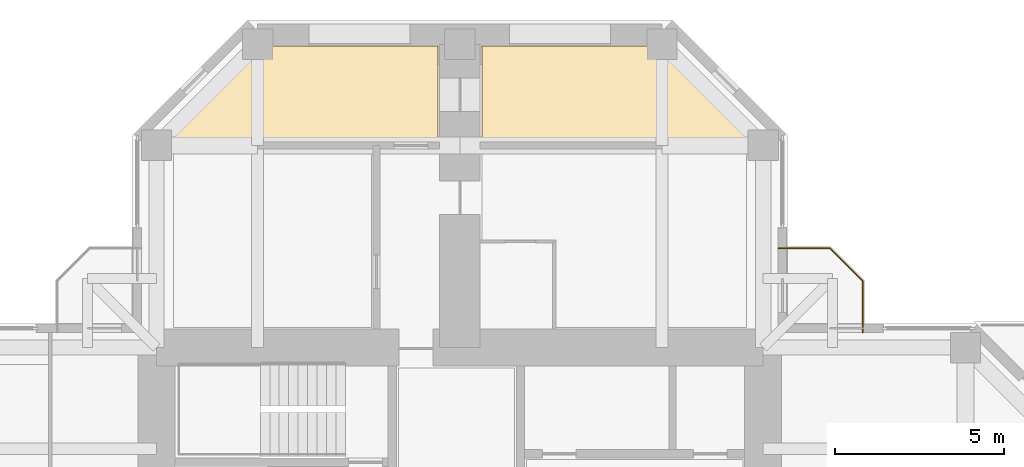
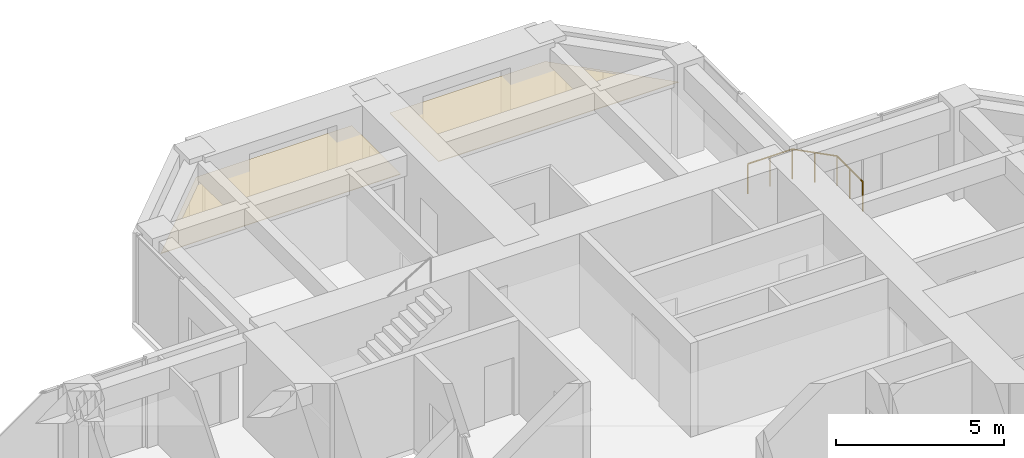
# One storey, part 14 of 14: 2 coverings, 1 railing.
"""IFC4 building model written with IfcOpenShell, lengths in metres."""

from ifc_helpers import new_model, si_unit, direction, frame, origin, origin_2d, place, context, subcontext, project, spatial, polyline, circle, outline, extrude, material, layer, layer_set, constituent, constituent_set, type_object, element, save


model = new_model("IFC4")

# Units and contexts
model_context = context("Model", 3, precision=1e-05, world=origin(), true_north=direction((0.0, 1.0)))
body_context = subcontext(model_context, "Body", "Model", "MODEL_VIEW")
ifc_project = project(units=[si_unit("LENGTHUNIT", "METRE"), si_unit("AREAUNIT", "SQUARE_METRE"), si_unit("VOLUMEUNIT", "CUBIC_METRE"), si_unit("PLANEANGLEUNIT", "RADIAN"), si_unit("MASSUNIT", "GRAM", prefix="KILO")], contexts=[model_context])

# Site, building, storey
site_placement = place(None, origin())
site = spatial("IfcSite", under=ifc_project, at=site_placement, CompositionType="ELEMENT")
building_placement = place(site_placement, origin())
building = spatial("IfcBuilding", under=site, at=building_placement, Name="Torre Cruceta", CompositionType="ELEMENT")
storey_placement = place(building_placement, frame((0.0, 0.0, 169.5)))
storey = spatial("IfcBuildingStorey", under=building, at=storey_placement, Name="L41", CompositionType="ELEMENT", Elevation=169.5)

# Railing
ifc_material_1 = material(Name="Stainless steel 1.4401", Category="steel")
ifc_constituent_1 = constituent(ifc_material_1, Name="Frame")
ifc_material_2 = material(Name="Laminated safety glass", Category="glass")
ifc_constituent_2 = constituent(ifc_material_2, Name="Infill")
ifc_constituent_set = constituent_set(constituents=[ifc_constituent_1, ifc_constituent_2], Name="Stainless steel and laminated glass balustrade")
railing_type = type_object("IfcRailingType", Name="BALCONY BALUSTRADE 1100", PredefinedType="BALUSTRADE", material=ifc_constituent_set)
railing_placement = place(storey_placement, frame((9.449951171875, 11.949951171875, 0.0)))
element("IfcRailing", 1, at=railing_placement, inside=storey, type_object=railing_type, Name="BL1 balcony balustrade L41 E", PredefinedType="BALUSTRADE", context=body_context, shape_type="SweptSolid", body=[
    extrude(circle(Radius=0.02392578125, at=origin_2d()), frame((0.0, 0.0, 1.076171875), z_axis=(1.0, 0.0, 0.0), x_axis=(0.0, 1.0, 0.0)), (0.0, 0.0, 1.0), 1.529296875),
    extrude(circle(Radius=0.02392578125, at=origin_2d()), frame((1.529296875, 0.0, 1.076171875), z_axis=(0.707106781187, -0.707106781187, 0.0), x_axis=(0.707106781187, 0.707106781187, 0.0)), (0.0, 0.0, 1.0), 1.372802734375),
    extrude(circle(Radius=0.02392578125, at=origin_2d()), frame((2.5, -0.970703125, 1.076171875), z_axis=(0.0, -1.0, 0.0), x_axis=(1.0, 0.0, 0.0)), (0.0, 0.0, 1.0), 1.529296875),
    extrude(circle(Radius=0.02099609375, at=origin_2d()), origin(), (0.0, 0.0, 1.0), 1.052001953125),
    extrude(circle(Radius=0.02099609375, at=origin_2d()), frame((0.7646484375, 0.0, 0.0)), (0.0, 0.0, 1.0), 1.052001953125),
    extrude(circle(Radius=0.02099609375, at=origin_2d()), frame((1.529296875, 0.0, 0.0)), (0.0, 0.0, 1.0), 1.052001953125),
    extrude(circle(Radius=0.02099609375, at=origin_2d()), frame((2.0146484375, -0.4853515625, 0.0)), (0.0, 0.0, 1.0), 1.052001953125),
    extrude(circle(Radius=0.02099609375, at=origin_2d()), frame((2.5, -0.970703125, 0.0)), (0.0, 0.0, 1.0), 1.052001953125),
    extrude(circle(Radius=0.02099609375, at=origin_2d()), frame((2.5, -1.7353515625, 0.0)), (0.0, 0.0, 1.0), 1.052001953125),
    extrude(circle(Radius=0.02099609375, at=origin_2d()), frame((2.5, -2.5, 0.0)), (0.0, 0.0, 1.0), 1.052001953125),
])

# Coverings
ifc_material_3 = material(Name="Mineral fibre ceiling tile", Category="gypsum")
ifc_layer = layer(ifc_material_3, 0.02001953125)
ifc_layer_set = layer_set([ifc_layer], Name="Mineral fibre ceiling tile")
covering_type = type_object("IfcCoveringType", Name="SUSPENDED CEILING 20", PredefinedType="CEILING", material=ifc_layer_set)
covering_1_placement = place(storey_placement, frame((0.0, 0.0, 2.35009765625)))
element("IfcCovering", 2, at=covering_1_placement, inside=storey, type_object=covering_type, Name="Ceiling L41-025", PredefinedType="CEILING", context=body_context, shape_type="SweptSolid", body=[
    extrude(outline(polyline([(-5.979248046875, 17.949951171875), (-0.64990234375, 17.949951171875), (-0.64990234375, 15.050048828125), (-8.87939453125, 15.050048828125), (-5.979248046875, 17.949951171875)])), origin(), (0.0, 0.0, 1.0), 0.02001953125),
])
covering_2_placement = place(storey_placement, frame((0.0, 0.0, 2.35009765625)))
element("IfcCovering", 3, at=covering_2_placement, inside=storey, type_object=covering_type, Name="Ceiling L41-026", PredefinedType="CEILING", context=body_context, shape_type="SweptSolid", body=[
    extrude(outline(polyline([(8.87939453125, 15.050048828125), (0.64990234375, 15.050048828125), (0.64990234375, 17.949951171875), (5.979248046875, 17.949951171875), (8.87939453125, 15.050048828125)])), origin(), (0.0, 0.0, 1.0), 0.02001953125),
])

save(model, "model.ifc")
